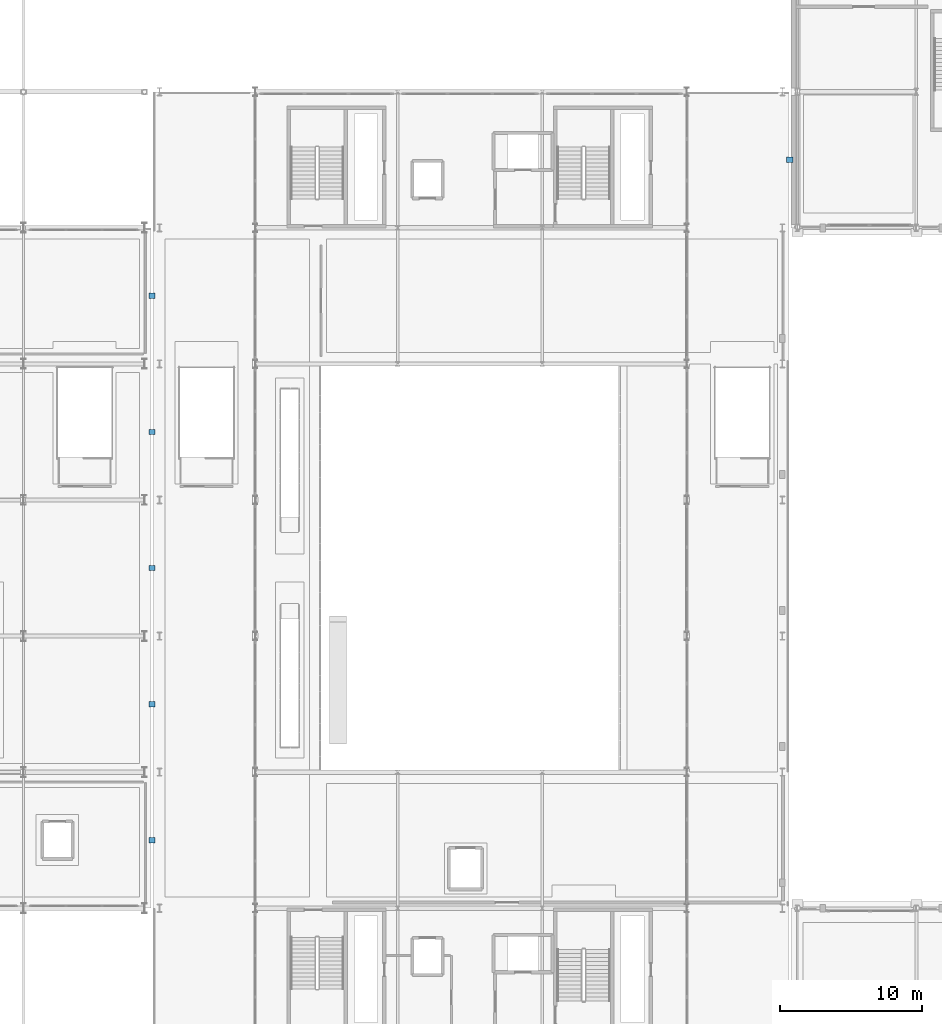
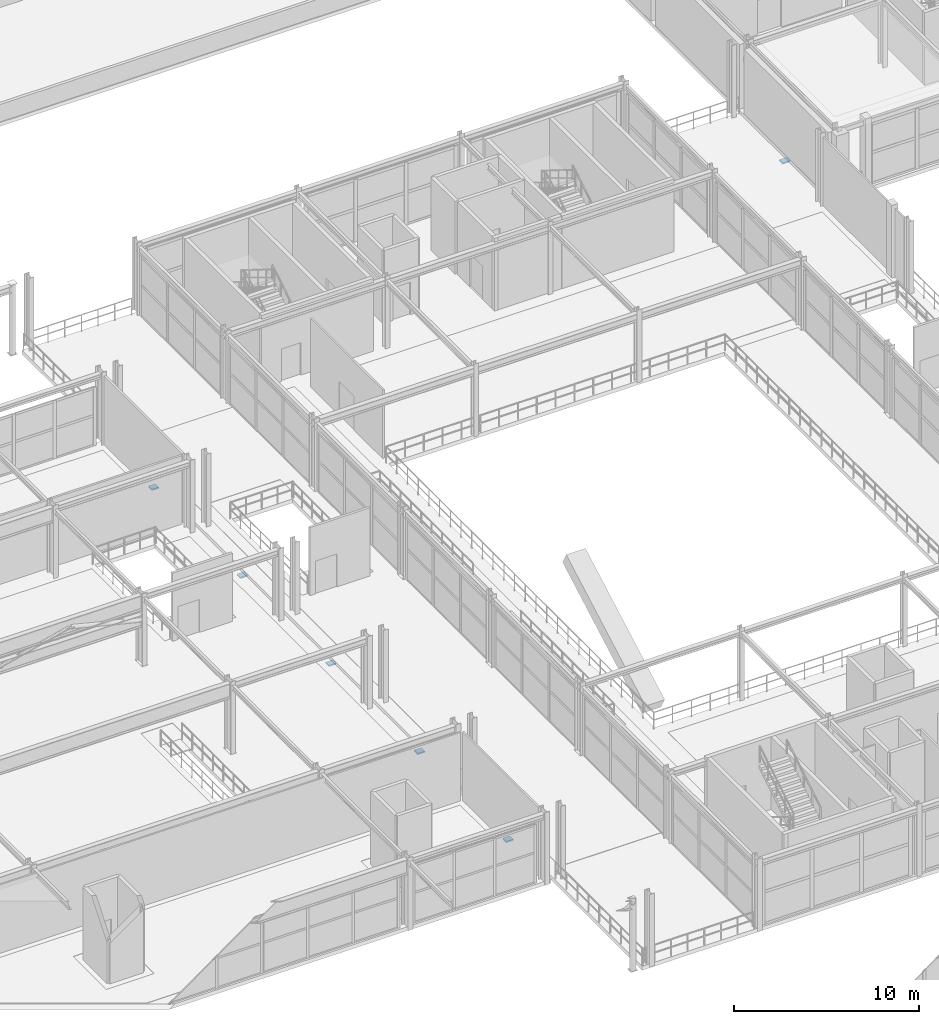
# One storey, part 87 of 125: 6 discrete accessories.
"""IFC4 building model written with IfcOpenShell, lengths in metres."""

from ifc_helpers import new_model, si_unit, direction, frame, origin, origin_2d, place, context, subcontext, project, spatial, rectangle, extrude, material, type_object, element, save


model = new_model("IFC4")

# Units and contexts
model_context = context("Model", 3, precision=1e-05, world=origin(), true_north=direction((0.0, 1.0)))
body_context = subcontext(model_context, "Body", "Model", "MODEL_VIEW")
ifc_project = project(units=[si_unit("LENGTHUNIT", "METRE"), si_unit("AREAUNIT", "SQUARE_METRE"), si_unit("VOLUMEUNIT", "CUBIC_METRE"), si_unit("PLANEANGLEUNIT", "RADIAN"), si_unit("MASSUNIT", "GRAM", prefix="KILO")], contexts=[model_context])

# Site, building, storey
site_placement = place(None, origin())
site = spatial("IfcSite", under=ifc_project, at=site_placement, CompositionType="ELEMENT")
building_placement = place(site_placement, origin())
building = spatial("IfcBuilding", under=site, at=building_placement, Name="Myrtia Square Station", CompositionType="ELEMENT")
storey_placement = place(building_placement, frame((0.0, 0.0, 6.0)))
storey = spatial("IfcBuildingStorey", under=building, at=storey_placement, Name="L01", CompositionType="ELEMENT", Elevation=6.0)

# Discrete accessories
ifc_material = material(Name="Steel S355", Category="steel")
discrete_accessory_type = type_object("IfcDiscreteAccessoryType", Name="ACC-PTFE-BEARING", PredefinedType="USERDEFINED", material=ifc_material)
for number, where, z_axis, x_axis, name in (
    (1, (72.074951171875, 43.199951171875, -0.344482421875), (0.0, 0.0, 1.0), (1.0, 0.0, 0.0), "Seismic movement-joint passage sliding bearing SB-01-01"),
    (2, (72.074951171875, 52.800048828125, -0.344482421875), (0.0, 0.0, 1.0), (1.0, 0.0, 0.0), "Seismic movement-joint passage sliding bearing SB-01-02"),
    (3, (72.074951171875, 62.39990234375, -0.344482421875), (0.0, 0.0, 1.0), (1.0, 0.0, 0.0), "Seismic movement-joint passage sliding bearing SB-01-03"),
    (4, (72.074951171875, 72.0, -0.344482421875), (0.0, 0.0, 1.0), (1.0, 0.0, 0.0), "Seismic movement-joint passage sliding bearing SB-01-04"),
    (5, (72.074951171875, 81.60009765625, -0.344482421875), (0.0, 0.0, 1.0), (1.0, 0.0, 0.0), "Seismic movement-joint passage sliding bearing SB-01-05"),
    (6, (117.074951171875, 91.199951171875, -0.33447265625), (0.0, 0.0, 1.0), (1.0, 0.0, 0.0), "Seismic movement-joint passage sliding bearing SB-01-09"),
):
    element("IfcDiscreteAccessory", number, at=place(storey_placement, frame(where, z_axis=z_axis, x_axis=x_axis)), inside=storey, type_object=discrete_accessory_type, Name=name, ObjectType="SLIDING BEARING", PredefinedType="USERDEFINED", context=body_context, shape_type="SweptSolid", body=[
        extrude(rectangle(XDim=0.449951171875, YDim=0.3798828125, at=origin_2d()), origin(), (0.0, 0.0, 1.0), 0.0849609375),
    ])

save(model, "model.ifc")
